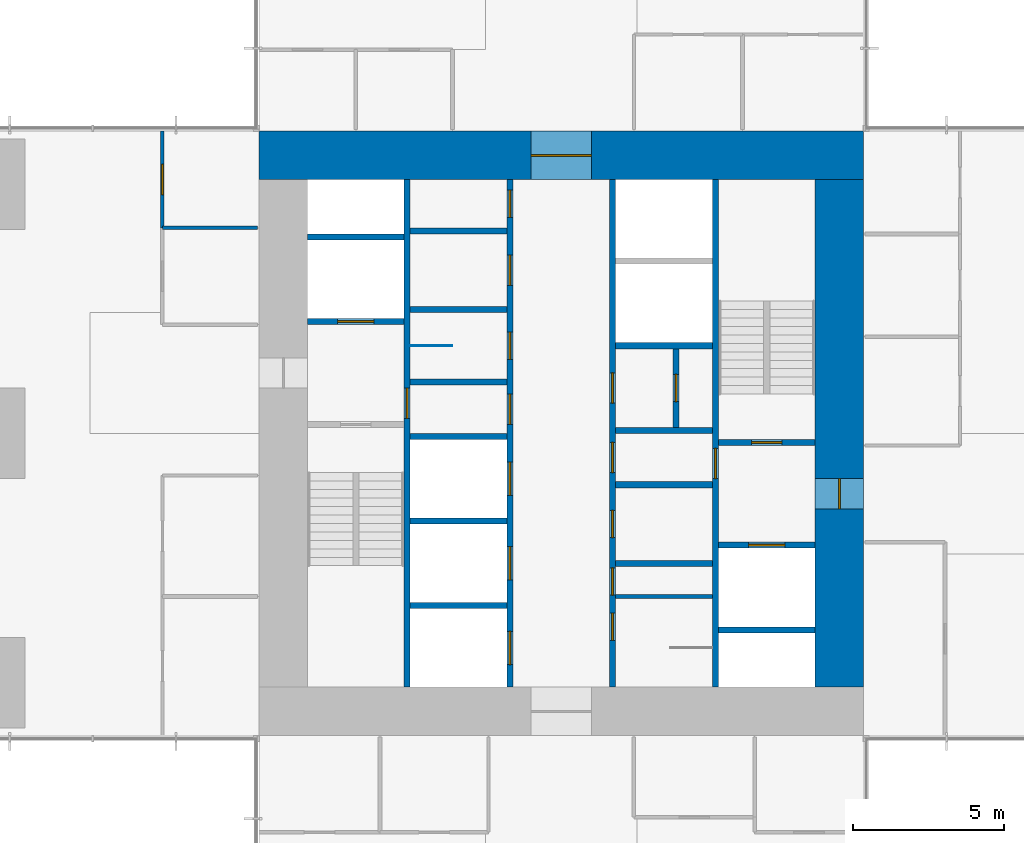
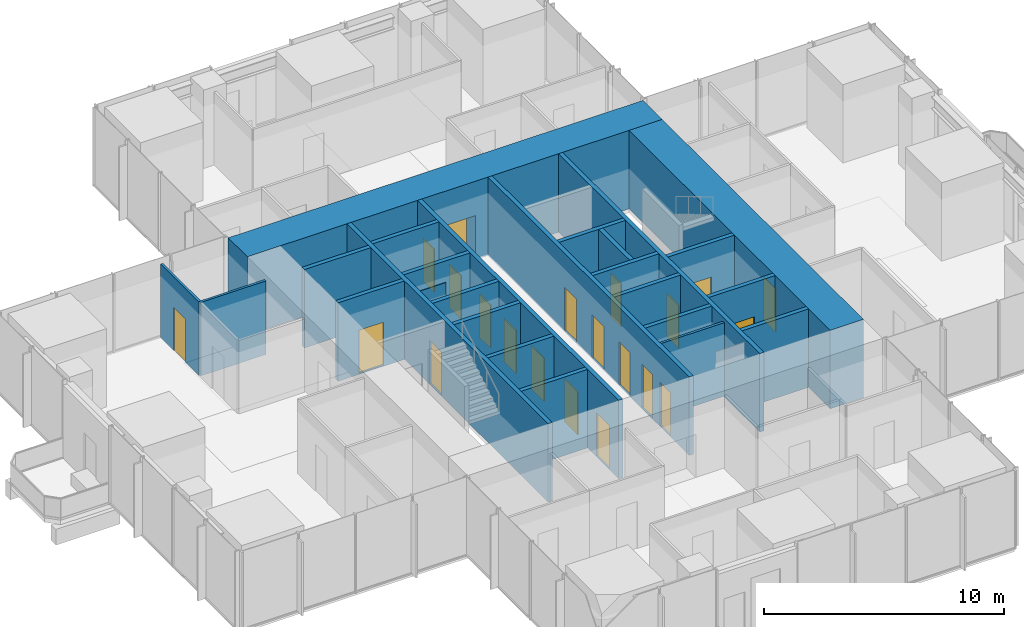
# One storey, part 9 of 13: 26 walls, 21 doors, 21 openings.
"""IFC4 building model written with IfcOpenShell, lengths in metres."""

from ifc_helpers import new_model, si_unit, direction, frame, frame_2d, origin, place, context, subcontext, project, spatial, rectangle, extrude, material, layer, layer_set, type_object, element, fill, save


model = new_model("IFC4")

# Units and contexts
model_context = context("Model", 3, precision=1e-05, world=origin(), true_north=direction((0.0, 1.0)))
body_context = subcontext(model_context, "Body", "Model", "MODEL_VIEW")
ifc_project = project(units=[si_unit("LENGTHUNIT", "METRE"), si_unit("AREAUNIT", "SQUARE_METRE"), si_unit("VOLUMEUNIT", "CUBIC_METRE"), si_unit("PLANEANGLEUNIT", "RADIAN"), si_unit("MASSUNIT", "GRAM", prefix="KILO")], contexts=[model_context])

# Site, building, storey
site_placement = place(None, origin())
site = spatial("IfcSite", under=ifc_project, at=site_placement, CompositionType="ELEMENT")
building_placement = place(site_placement, origin())
building = spatial("IfcBuilding", under=site, at=building_placement, Name="Svetlomir Tower", CompositionType="ELEMENT")
storey_placement = place(building_placement, frame((0.0, 0.0, 132.5)))
storey = spatial("IfcBuildingStorey", under=building, at=storey_placement, Name="L31", CompositionType="ELEMENT", Elevation=132.5)

# Wall, opening, door
ifc_material_1 = material(Name="Concrete C60/75", Category="concrete")
ifc_layer_1 = layer(ifc_material_1, 0.199951171875)
ifc_layer_set_1 = layer_set([ifc_layer_1], Name="Concrete C60/75")
wall_type_1 = type_object("IfcWallType", Name="CORE INNER WALL 200", PredefinedType="SHEAR", material=ifc_layer_set_1)
wall_1_placement = place(storey_placement, frame((15.89990234375, 12.60009765625, -0.050048828125), z_axis=(0.0, 0.0, 1.0), x_axis=(0.0, 1.0, 0.0)))
wall_1 = element("IfcWall", 1, at=wall_1_placement, inside=storey, type_object=wall_type_1, Name="Core inner wall 15.9 L31", PredefinedType="SHEAR", context=body_context, shape_type="SweptSolid", body=[
    extrude(rectangle(XDim=16.7998046875, YDim=0.199951171875, at=frame_2d((8.39990234375, 0.0))), origin(), (0.0, 0.0, 1.0), 4.0),
])
opening_1_placement = place(wall_1_placement, frame((8.89990234375, 0.0, 0.050048828125)))
opening_1 = element("IfcOpeningElement", 2, at=opening_1_placement, cuts=wall_1, Name="Opening DF", PredefinedType="OPENING", context=body_context, shape_type="SweptSolid", body=[
    extrude(rectangle(XDim=1.0, YDim=2.199951171875, at=frame_2d((0.5, 1.10009765625))), frame((0.0, 0.10986328125, 0.0), z_axis=(0.0, -1.0, 0.0), x_axis=(1.0, 0.0, 0.0)), (0.0, 0.0, 1.0), 0.219970703125),
])
ifc_material_2 = material(Name="Steel fire door", Category="steel")
door_type_1 = type_object("IfcDoorType", Name="DOOR DF 1000x2200", OperationType="SINGLE_SWING_LEFT", PredefinedType="DOOR", material=ifc_material_2)
door_1_placement = place(opening_1_placement, origin())
door_1 = element("IfcDoor", 3, at=door_1_placement, inside=storey, type_object=door_type_1, Name="Core corridor west door L31", OperationType="SINGLE_SWING_LEFT", OverallHeight=2.199951171875, OverallWidth=1.0, PredefinedType="DOOR", context=body_context, shape_type="SweptSolid", body=[
    extrude(rectangle(XDim=1.0, YDim=2.199951171875, at=frame_2d((0.5, 1.10009765625))), frame((0.0, 0.02490234375, 0.0), z_axis=(0.0, -1.0, 0.0), x_axis=(1.0, 0.0, 0.0)), (0.0, 0.0, 1.0), 0.050048828125),
])
fill(opening_1, door_1)

# Wall, openings, doors
wall_2_placement = place(storey_placement, frame((19.300048828125, 12.60009765625, -0.050048828125), z_axis=(0.0, 0.0, 1.0), x_axis=(0.0, 1.0, 0.0)))
wall_2 = element("IfcWall", 4, at=wall_2_placement, inside=storey, type_object=wall_type_1, Name="Core inner wall 19.3 L31", PredefinedType="SHEAR", context=body_context, shape_type="SweptSolid", body=[
    extrude(rectangle(XDim=16.7998046875, YDim=0.199951171875, at=frame_2d((8.39990234375, 0.0))), origin(), (0.0, 0.0, 1.0), 4.0),
])
opening_2_placement = place(wall_2_placement, frame((8.699951171875, 0.0, 0.050048828125)))
opening_2 = element("IfcOpeningElement", 5, at=opening_2_placement, cuts=wall_2, Name="Opening DC", PredefinedType="OPENING", context=body_context, shape_type="SweptSolid", body=[
    extrude(rectangle(XDim=1.0, YDim=2.199951171875, at=frame_2d((0.5, 1.10009765625))), frame((0.0, 0.10986328125, 0.0), z_axis=(0.0, -1.0, 0.0), x_axis=(1.0, 0.0, 0.0)), (0.0, 0.0, 1.0), 0.219970703125),
])
opening_3_placement = place(wall_2_placement, frame((10.85009765625, 0.0, 0.050048828125)))
opening_3 = element("IfcOpeningElement", 6, at=opening_3_placement, cuts=wall_2, Name="Opening DW", PredefinedType="OPENING", context=body_context, shape_type="SweptSolid", body=[
    extrude(rectangle(XDim=0.89990234375, YDim=2.199951171875, at=frame_2d((0.449951171875, 1.10009765625))), frame((0.0, 0.10986328125, 0.0), z_axis=(0.0, -1.0, 0.0), x_axis=(1.0, 0.0, 0.0)), (0.0, 0.0, 1.0), 0.219970703125),
])
opening_4_placement = place(wall_2_placement, frame((13.300048828125, 0.0, 0.050048828125)))
opening_4 = element("IfcOpeningElement", 7, at=opening_4_placement, cuts=wall_2, Name="Opening DC", PredefinedType="OPENING", context=body_context, shape_type="SweptSolid", body=[
    extrude(rectangle(XDim=1.0, YDim=2.199951171875, at=frame_2d((0.5, 1.10009765625))), frame((0.0, 0.10986328125, 0.0), z_axis=(0.0, -1.0, 0.0), x_axis=(1.0, 0.0, 0.0)), (0.0, 0.0, 1.0), 0.219970703125),
])
opening_5_placement = place(wall_2_placement, frame((15.550048828125, 0.0, 0.050048828125)))
opening_5 = element("IfcOpeningElement", 8, at=opening_5_placement, cuts=wall_2, Name="Opening DW", PredefinedType="OPENING", context=body_context, shape_type="SweptSolid", body=[
    extrude(rectangle(XDim=0.89990234375, YDim=2.199951171875, at=frame_2d((0.449951171875, 1.10009765625))), frame((0.0, 0.10986328125, 0.0), z_axis=(0.0, -1.0, 0.0), x_axis=(1.0, 0.0, 0.0)), (0.0, 0.0, 1.0), 0.219970703125),
])
opening_6_placement = place(wall_2_placement, frame((0.75, 0.0, 0.050048828125)))
opening_6 = element("IfcOpeningElement", 9, at=opening_6_placement, cuts=wall_2, Name="Opening LD", PredefinedType="OPENING", context=body_context, shape_type="SweptSolid", body=[
    extrude(rectangle(XDim=1.10009765625, YDim=2.199951171875, at=frame_2d((0.550048828125, 1.10009765625))), frame((0.0, 0.10986328125, 0.0), z_axis=(0.0, -1.0, 0.0), x_axis=(1.0, 0.0, 0.0)), (0.0, 0.0, 1.0), 0.219970703125),
])
opening_7_placement = place(wall_2_placement, frame((3.550048828125, 0.0, 0.050048828125)))
opening_7 = element("IfcOpeningElement", 10, at=opening_7_placement, cuts=wall_2, Name="Opening LD", PredefinedType="OPENING", context=body_context, shape_type="SweptSolid", body=[
    extrude(rectangle(XDim=1.10009765625, YDim=2.199951171875, at=frame_2d((0.550048828125, 1.10009765625))), frame((0.0, 0.10986328125, 0.0), z_axis=(0.0, -1.0, 0.0), x_axis=(1.0, 0.0, 0.0)), (0.0, 0.0, 1.0), 0.219970703125),
])
opening_8_placement = place(wall_2_placement, frame((6.35009765625, 0.0, 0.050048828125)))
opening_8 = element("IfcOpeningElement", 11, at=opening_8_placement, cuts=wall_2, Name="Opening LD", PredefinedType="OPENING", context=body_context, shape_type="SweptSolid", body=[
    extrude(rectangle(XDim=1.10009765625, YDim=2.199951171875, at=frame_2d((0.550048828125, 1.10009765625))), frame((0.0, 0.10986328125, 0.0), z_axis=(0.0, -1.0, 0.0), x_axis=(1.0, 0.0, 0.0)), (0.0, 0.0, 1.0), 0.219970703125),
])
ifc_material_3 = material(Name="Timber fire door", Category="wood")
door_type_2 = type_object("IfcDoorType", Name="DOOR DC 1000x2200", OperationType="SINGLE_SWING_LEFT", PredefinedType="DOOR", material=ifc_material_3)
door_2_placement = place(opening_2_placement, origin())
door_2 = element("IfcDoor", 12, at=door_2_placement, inside=storey, type_object=door_type_2, Name="Core corridor west lobby door L31", OperationType="SINGLE_SWING_RIGHT", OverallHeight=2.199951171875, OverallWidth=1.0, PredefinedType="DOOR", context=body_context, shape_type="SweptSolid", body=[
    extrude(rectangle(XDim=1.0, YDim=2.199951171875, at=frame_2d((0.5, 1.10009765625))), frame((0.0, 0.02490234375, 0.0), z_axis=(0.0, -1.0, 0.0), x_axis=(1.0, 0.0, 0.0)), (0.0, 0.0, 1.0), 0.050048828125),
])
fill(opening_2, door_2)
door_3_placement = place(opening_4_placement, origin())
door_3 = element("IfcDoor", 13, at=door_3_placement, inside=storey, type_object=door_type_2, Name="Accessible WC door L31", OperationType="SINGLE_SWING_LEFT", OverallHeight=2.199951171875, OverallWidth=1.0, PredefinedType="DOOR", context=body_context, shape_type="SweptSolid", body=[
    extrude(rectangle(XDim=1.0, YDim=2.199951171875, at=frame_2d((0.5, 1.10009765625))), frame((0.0, 0.02490234375, 0.0), z_axis=(0.0, -1.0, 0.0), x_axis=(1.0, 0.0, 0.0)), (0.0, 0.0, 1.0), 0.050048828125),
])
fill(opening_4, door_3)
ifc_material_4 = material(Name="Timber fire door", Category="wood")
door_type_3 = type_object("IfcDoorType", Name="DOOR DW 900x2200", OperationType="SINGLE_SWING_LEFT", PredefinedType="DOOR", material=ifc_material_4)
door_4_placement = place(opening_3_placement, origin())
door_4 = element("IfcDoor", 14, at=door_4_placement, inside=storey, type_object=door_type_3, Name="Female WC door L31", OperationType="SINGLE_SWING_RIGHT", OverallHeight=2.199951171875, OverallWidth=0.89990234375, PredefinedType="DOOR", context=body_context, shape_type="SweptSolid", body=[
    extrude(rectangle(XDim=0.89990234375, YDim=2.199951171875, at=frame_2d((0.449951171875, 1.10009765625))), frame((0.0, 0.02490234375, 0.0), z_axis=(0.0, -1.0, 0.0), x_axis=(1.0, 0.0, 0.0)), (0.0, 0.0, 1.0), 0.050048828125),
])
fill(opening_3, door_4)
door_5_placement = place(opening_5_placement, origin())
door_5 = element("IfcDoor", 15, at=door_5_placement, inside=storey, type_object=door_type_3, Name="IT floor distributor room door L31", OperationType="SINGLE_SWING_RIGHT", OverallHeight=2.199951171875, OverallWidth=0.89990234375, PredefinedType="DOOR", context=body_context, shape_type="SweptSolid", body=[
    extrude(rectangle(XDim=0.89990234375, YDim=2.199951171875, at=frame_2d((0.449951171875, 1.10009765625))), frame((0.0, 0.02490234375, 0.0), z_axis=(0.0, -1.0, 0.0), x_axis=(1.0, 0.0, 0.0)), (0.0, 0.0, 1.0), 0.050048828125),
])
fill(opening_5, door_5)
ifc_material_5 = material(Name="Stainless steel landing door", Category="steel")
door_type_4 = type_object("IfcDoorType", Name="LIFT LANDING DOOR LD 1100x2200", OperationType="DOUBLE_DOOR_SLIDING", PredefinedType="DOOR", material=ifc_material_5)
door_6_placement = place(opening_6_placement, origin())
door_6 = element("IfcDoor", 16, at=door_6_placement, inside=storey, type_object=door_type_4, Name="Landing door lift LB1 L31", OperationType="DOUBLE_DOOR_SLIDING", OverallHeight=2.199951171875, OverallWidth=1.10009765625, PredefinedType="DOOR", context=body_context, shape_type="SweptSolid", body=[
    extrude(rectangle(XDim=1.10009765625, YDim=2.199951171875, at=frame_2d((0.550048828125, 1.10009765625))), frame((0.0, 0.02490234375, 0.0), z_axis=(0.0, -1.0, 0.0), x_axis=(1.0, 0.0, 0.0)), (0.0, 0.0, 1.0), 0.050048828125),
])
fill(opening_6, door_6)
door_7_placement = place(opening_7_placement, origin())
door_7 = element("IfcDoor", 17, at=door_7_placement, inside=storey, type_object=door_type_4, Name="Landing door lift LB2 L31", OperationType="DOUBLE_DOOR_SLIDING", OverallHeight=2.199951171875, OverallWidth=1.10009765625, PredefinedType="DOOR", context=body_context, shape_type="SweptSolid", body=[
    extrude(rectangle(XDim=1.10009765625, YDim=2.199951171875, at=frame_2d((0.550048828125, 1.10009765625))), frame((0.0, 0.02490234375, 0.0), z_axis=(0.0, -1.0, 0.0), x_axis=(1.0, 0.0, 0.0)), (0.0, 0.0, 1.0), 0.050048828125),
])
fill(opening_7, door_7)
door_8_placement = place(opening_8_placement, origin())
door_8 = element("IfcDoor", 18, at=door_8_placement, inside=storey, type_object=door_type_4, Name="Landing door lift LB3 L31", OperationType="DOUBLE_DOOR_SLIDING", OverallHeight=2.199951171875, OverallWidth=1.10009765625, PredefinedType="DOOR", context=body_context, shape_type="SweptSolid", body=[
    extrude(rectangle(XDim=1.10009765625, YDim=2.199951171875, at=frame_2d((0.550048828125, 1.10009765625))), frame((0.0, 0.02490234375, 0.0), z_axis=(0.0, -1.0, 0.0), x_axis=(1.0, 0.0, 0.0)), (0.0, 0.0, 1.0), 0.050048828125),
])
fill(opening_8, door_8)

wall_3_placement = place(storey_placement, frame((22.699951171875, 12.60009765625, -0.050048828125), z_axis=(0.0, 0.0, 1.0), x_axis=(0.0, 1.0, 0.0)))
wall_3 = element("IfcWall", 19, at=wall_3_placement, inside=storey, type_object=wall_type_1, Name="Core inner wall 22.7 L31", PredefinedType="SHEAR", context=body_context, shape_type="SweptSolid", body=[
    extrude(rectangle(XDim=16.7998046875, YDim=0.199951171875, at=frame_2d((8.39990234375, 0.0))), origin(), (0.0, 0.0, 1.0), 4.0),
])
opening_9_placement = place(wall_3_placement, frame((3.050048828125, 0.0, 0.050048828125)))
opening_9 = element("IfcOpeningElement", 20, at=opening_9_placement, cuts=wall_3, Name="Opening DW", PredefinedType="OPENING", context=body_context, shape_type="SweptSolid", body=[
    extrude(rectangle(XDim=0.89990234375, YDim=2.199951171875, at=frame_2d((0.449951171875, 1.10009765625))), frame((0.0, 0.10986328125, 0.0), z_axis=(0.0, -1.0, 0.0), x_axis=(1.0, 0.0, 0.0)), (0.0, 0.0, 1.0), 0.219970703125),
])
opening_10_placement = place(wall_3_placement, frame((7.10009765625, 0.0, 0.050048828125)))
opening_10 = element("IfcOpeningElement", 21, at=opening_10_placement, cuts=wall_3, Name="Opening DC", PredefinedType="OPENING", context=body_context, shape_type="SweptSolid", body=[
    extrude(rectangle(XDim=1.0, YDim=2.199951171875, at=frame_2d((0.5, 1.10009765625))), frame((0.0, 0.10986328125, 0.0), z_axis=(0.0, -1.0, 0.0), x_axis=(1.0, 0.0, 0.0)), (0.0, 0.0, 1.0), 0.219970703125),
])
opening_11_placement = place(wall_3_placement, frame((1.550048828125, 0.0, 0.050048828125)))
opening_11 = element("IfcOpeningElement", 22, at=opening_11_placement, cuts=wall_3, Name="Opening DW", PredefinedType="OPENING", context=body_context, shape_type="SweptSolid", body=[
    extrude(rectangle(XDim=0.89990234375, YDim=2.199951171875, at=frame_2d((0.449951171875, 1.10009765625))), frame((0.0, 0.10986328125, 0.0), z_axis=(0.0, -1.0, 0.0), x_axis=(1.0, 0.0, 0.0)), (0.0, 0.0, 1.0), 0.219970703125),
])
opening_12_placement = place(wall_3_placement, frame((4.949951171875, 0.0, 0.050048828125)))
opening_12 = element("IfcOpeningElement", 23, at=opening_12_placement, cuts=wall_3, Name="Opening DW", PredefinedType="OPENING", context=body_context, shape_type="SweptSolid", body=[
    extrude(rectangle(XDim=0.89990234375, YDim=2.199951171875, at=frame_2d((0.449951171875, 1.10009765625))), frame((0.0, 0.10986328125, 0.0), z_axis=(0.0, -1.0, 0.0), x_axis=(1.0, 0.0, 0.0)), (0.0, 0.0, 1.0), 0.219970703125),
])
opening_13_placement = place(wall_3_placement, frame((9.39990234375, 0.0, 0.050048828125)))
opening_13 = element("IfcOpeningElement", 24, at=opening_13_placement, cuts=wall_3, Name="Opening DC", PredefinedType="OPENING", context=body_context, shape_type="SweptSolid", body=[
    extrude(rectangle(XDim=1.0, YDim=2.199951171875, at=frame_2d((0.5, 1.10009765625))), frame((0.0, 0.10986328125, 0.0), z_axis=(0.0, -1.0, 0.0), x_axis=(1.0, 0.0, 0.0)), (0.0, 0.0, 1.0), 0.219970703125),
])
door_9_placement = place(opening_10_placement, origin())
door_9 = element("IfcDoor", 25, at=door_9_placement, inside=storey, type_object=door_type_2, Name="Core corridor east lobby door L31", OperationType="SINGLE_SWING_LEFT", OverallHeight=2.199951171875, OverallWidth=1.0, PredefinedType="DOOR", context=body_context, shape_type="SweptSolid", body=[
    extrude(rectangle(XDim=1.0, YDim=2.199951171875, at=frame_2d((0.5, 1.10009765625))), frame((0.0, 0.02490234375, 0.0), z_axis=(0.0, -1.0, 0.0), x_axis=(1.0, 0.0, 0.0)), (0.0, 0.0, 1.0), 0.050048828125),
])
fill(opening_10, door_9)
door_10_placement = place(opening_13_placement, origin())
door_10 = element("IfcDoor", 26, at=door_10_placement, inside=storey, type_object=door_type_2, Name="Converted shaft BANK-E1 room door L31", OperationType="SINGLE_SWING_LEFT", OverallHeight=2.199951171875, OverallWidth=1.0, PredefinedType="DOOR", context=body_context, shape_type="SweptSolid", body=[
    extrude(rectangle(XDim=1.0, YDim=2.199951171875, at=frame_2d((0.5, 1.10009765625))), frame((0.0, 0.02490234375, 0.0), z_axis=(0.0, -1.0, 0.0), x_axis=(1.0, 0.0, 0.0)), (0.0, 0.0, 1.0), 0.050048828125),
])
fill(opening_13, door_10)
door_11_placement = place(opening_9_placement, origin())
door_11 = element("IfcDoor", 27, at=door_11_placement, inside=storey, type_object=door_type_3, Name="Shower and changing room door L31", OperationType="SINGLE_SWING_LEFT", OverallHeight=2.199951171875, OverallWidth=0.89990234375, PredefinedType="DOOR", context=body_context, shape_type="SweptSolid", body=[
    extrude(rectangle(XDim=0.89990234375, YDim=2.199951171875, at=frame_2d((0.449951171875, 1.10009765625))), frame((0.0, 0.02490234375, 0.0), z_axis=(0.0, -1.0, 0.0), x_axis=(1.0, 0.0, 0.0)), (0.0, 0.0, 1.0), 0.050048828125),
])
fill(opening_9, door_11)
door_12_placement = place(opening_11_placement, origin())
door_12 = element("IfcDoor", 28, at=door_12_placement, inside=storey, type_object=door_type_3, Name="Male WC door L31", OperationType="SINGLE_SWING_RIGHT", OverallHeight=2.199951171875, OverallWidth=0.89990234375, PredefinedType="DOOR", context=body_context, shape_type="SweptSolid", body=[
    extrude(rectangle(XDim=0.89990234375, YDim=2.199951171875, at=frame_2d((0.449951171875, 1.10009765625))), frame((0.0, 0.02490234375, 0.0), z_axis=(0.0, -1.0, 0.0), x_axis=(1.0, 0.0, 0.0)), (0.0, 0.0, 1.0), 0.050048828125),
])
fill(opening_11, door_12)
door_13_placement = place(opening_12_placement, origin())
door_13 = element("IfcDoor", 29, at=door_13_placement, inside=storey, type_object=door_type_3, Name="Comms room door L31", OperationType="SINGLE_SWING_RIGHT", OverallHeight=2.199951171875, OverallWidth=0.89990234375, PredefinedType="DOOR", context=body_context, shape_type="SweptSolid", body=[
    extrude(rectangle(XDim=0.89990234375, YDim=2.199951171875, at=frame_2d((0.449951171875, 1.10009765625))), frame((0.0, 0.02490234375, 0.0), z_axis=(0.0, -1.0, 0.0), x_axis=(1.0, 0.0, 0.0)), (0.0, 0.0, 1.0), 0.050048828125),
])
fill(opening_12, door_13)

# Wall, opening, door
wall_4_placement = place(storey_placement, frame((26.10009765625, 12.60009765625, -0.050048828125), z_axis=(0.0, 0.0, 1.0), x_axis=(0.0, 1.0, 0.0)))
wall_4 = element("IfcWall", 30, at=wall_4_placement, inside=storey, type_object=wall_type_1, Name="Core inner wall 26.1 L31", PredefinedType="SHEAR", context=body_context, shape_type="SweptSolid", body=[
    extrude(rectangle(XDim=16.7998046875, YDim=0.199951171875, at=frame_2d((8.39990234375, 0.0))), origin(), (0.0, 0.0, 1.0), 4.0),
])
opening_14_placement = place(wall_4_placement, frame((6.89990234375, 0.0, 0.050048828125)))
opening_14 = element("IfcOpeningElement", 31, at=opening_14_placement, cuts=wall_4, Name="Opening DF", PredefinedType="OPENING", context=body_context, shape_type="SweptSolid", body=[
    extrude(rectangle(XDim=1.0, YDim=2.199951171875, at=frame_2d((0.5, 1.10009765625))), frame((0.0, 0.10986328125, 0.0), z_axis=(0.0, -1.0, 0.0), x_axis=(1.0, 0.0, 0.0)), (0.0, 0.0, 1.0), 0.219970703125),
])
door_14_placement = place(opening_14_placement, origin())
door_14 = element("IfcDoor", 32, at=door_14_placement, inside=storey, type_object=door_type_1, Name="Core corridor east door L31", OperationType="SINGLE_SWING_LEFT", OverallHeight=2.199951171875, OverallWidth=1.0, PredefinedType="DOOR", context=body_context, shape_type="SweptSolid", body=[
    extrude(rectangle(XDim=1.0, YDim=2.199951171875, at=frame_2d((0.5, 1.10009765625))), frame((0.0, 0.02490234375, 0.0), z_axis=(0.0, -1.0, 0.0), x_axis=(1.0, 0.0, 0.0)), (0.0, 0.0, 1.0), 0.050048828125),
])
fill(opening_14, door_14)

wall_5_placement = place(storey_placement, frame((12.60009765625, 24.699951171875, -0.050048828125), z_axis=(0.0, 0.0, 1.0), x_axis=(1.0, 0.0, 0.0)))
wall_5 = element("IfcWall", 33, at=wall_5_placement, inside=storey, type_object=wall_type_1, Name="Core inner wall 12.6-15.8/24.7 L31", PredefinedType="SHEAR", context=body_context, shape_type="SweptSolid", body=[
    extrude(rectangle(XDim=3.199951171875, YDim=0.199951171875, at=frame_2d((1.60009765625, 0.0))), origin(), (0.0, 0.0, 1.0), 4.0),
])
opening_15_placement = place(wall_5_placement, frame((1.0, 0.0, 0.050048828125)))
opening_15 = element("IfcOpeningElement", 34, at=opening_15_placement, cuts=wall_5, Name="Opening LD3", PredefinedType="OPENING", context=body_context, shape_type="SweptSolid", body=[
    extrude(rectangle(XDim=1.199951171875, YDim=2.199951171875, at=frame_2d((0.60009765625, 1.10009765625))), frame((0.0, 0.10986328125, 0.0), z_axis=(0.0, -1.0, 0.0), x_axis=(1.0, 0.0, 0.0)), (0.0, 0.0, 1.0), 0.219970703125),
])
ifc_material_6 = material(Name="Stainless steel fire-rated landing door", Category="steel")
door_type_5 = type_object("IfcDoorType", Name="FIREFIGHTING LIFT LANDING DOOR LD3 1200x2200", OperationType="DOUBLE_DOOR_SLIDING", PredefinedType="DOOR", material=ifc_material_6)
door_15_placement = place(opening_15_placement, origin())
door_15 = element("IfcDoor", 35, at=door_15_placement, inside=storey, type_object=door_type_5, Name="Landing door lift FL1 L31", OperationType="DOUBLE_DOOR_SLIDING", OverallHeight=2.199951171875, OverallWidth=1.199951171875, PredefinedType="DOOR", context=body_context, shape_type="SweptSolid", body=[
    extrude(rectangle(XDim=1.199951171875, YDim=2.199951171875, at=frame_2d((0.60009765625, 1.10009765625))), frame((0.0, 0.02490234375, 0.0), z_axis=(0.0, -1.0, 0.0), x_axis=(1.0, 0.0, 0.0)), (0.0, 0.0, 1.0), 0.050048828125),
])
fill(opening_15, door_15)

# Walls
for number, where, z_axis, x_axis, name in (
    (36, (12.60009765625, 27.5, -0.050048828125), (0.0, 0.0, 1.0), (1.0, 0.0, 0.0), "Core inner wall 12.6-15.8/27.5 L31"),
    (37, (16.0, 15.300048828125, -0.050048828125), (0.0, 0.0, 1.0), (1.0, 0.0, 0.0), "Core inner wall 16-19.2/15.3 L31"),
    (38, (16.0, 18.10009765625, -0.050048828125), (0.0, 0.0, 1.0), (1.0, 0.0, 0.0), "Core inner wall 16-19.2/18.1 L31"),
    (39, (16.0, 20.89990234375, -0.050048828125), (0.0, 0.0, 1.0), (1.0, 0.0, 0.0), "Core inner wall 16-19.2/20.9 L31"),
    (40, (16.0, 22.699951171875, -0.050048828125), (0.0, 0.0, 1.0), (1.0, 0.0, 0.0), "Core inner wall 16-19.2/22.7 L31"),
    (41, (16.0, 25.10009765625, -0.050048828125), (0.0, 0.0, 1.0), (1.0, 0.0, 0.0), "Core inner wall 16-19.2/25.1 L31"),
    (42, (16.0, 27.699951171875, -0.050048828125), (0.0, 0.0, 1.0), (1.0, 0.0, 0.0), "Core inner wall 16-19.2/27.7 L31"),
    (43, (22.800048828125, 16.699951171875, -0.050048828125), (0.0, 0.0, 1.0), (1.0, 0.0, 0.0), "Core inner wall 22.8-26/16.7 L31"),
    (44, (22.800048828125, 19.300048828125, -0.050048828125), (0.0, 0.0, 1.0), (1.0, 0.0, 0.0), "Core inner wall 22.8-26/19.3 L31"),
    (45, (22.800048828125, 21.10009765625, -0.050048828125), (0.0, 0.0, 1.0), (1.0, 0.0, 0.0), "Core inner wall 22.8-26/21.1 L31"),
    (46, (22.800048828125, 23.89990234375, -0.050048828125), (0.0, 0.0, 1.0), (1.0, 0.0, 0.0), "Core inner wall 22.8-26/23.9 L31"),
    (47, (26.199951171875, 14.5, -0.050048828125), (0.0, 0.0, 1.0), (1.0, 0.0, 0.0), "Core inner wall 26.2-29.4/14.5 L31"),
):
    element("IfcWall", number, at=place(storey_placement, frame(where, z_axis=z_axis, x_axis=x_axis)), inside=storey, type_object=wall_type_1, Name=name, PredefinedType="SHEAR", context=body_context, shape_type="SweptSolid", body=[
        extrude(rectangle(XDim=3.199951171875, YDim=0.199951171875, at=frame_2d((1.60009765625, 0.0))), origin(), (0.0, 0.0, 1.0), 4.0),
    ])

# Wall, opening, door
wall_6_placement = place(storey_placement, frame((26.199951171875, 17.300048828125, -0.050048828125), z_axis=(0.0, 0.0, 1.0), x_axis=(1.0, 0.0, 0.0)))
wall_6 = element("IfcWall", 48, at=wall_6_placement, inside=storey, type_object=wall_type_1, Name="Core inner wall 26.2-29.4/17.3 L31", PredefinedType="SHEAR", context=body_context, shape_type="SweptSolid", body=[
    extrude(rectangle(XDim=3.199951171875, YDim=0.199951171875, at=frame_2d((1.60009765625, 0.0))), origin(), (0.0, 0.0, 1.0), 4.0),
])
opening_16_placement = place(wall_6_placement, frame((1.0, 0.0, 0.050048828125)))
opening_16 = element("IfcOpeningElement", 49, at=opening_16_placement, cuts=wall_6, Name="Opening LD3", PredefinedType="OPENING", context=body_context, shape_type="SweptSolid", body=[
    extrude(rectangle(XDim=1.199951171875, YDim=2.199951171875, at=frame_2d((0.60009765625, 1.10009765625))), frame((0.0, 0.10986328125, 0.0), z_axis=(0.0, -1.0, 0.0), x_axis=(1.0, 0.0, 0.0)), (0.0, 0.0, 1.0), 0.219970703125),
])
door_16_placement = place(opening_16_placement, origin())
door_16 = element("IfcDoor", 50, at=door_16_placement, inside=storey, type_object=door_type_5, Name="Landing door lift FL2 L31", OperationType="DOUBLE_DOOR_SLIDING", OverallHeight=2.199951171875, OverallWidth=1.199951171875, PredefinedType="DOOR", context=body_context, shape_type="SweptSolid", body=[
    extrude(rectangle(XDim=1.199951171875, YDim=2.199951171875, at=frame_2d((0.60009765625, 1.10009765625))), frame((0.0, 0.02490234375, 0.0), z_axis=(0.0, -1.0, 0.0), x_axis=(1.0, 0.0, 0.0)), (0.0, 0.0, 1.0), 0.050048828125),
])
fill(opening_16, door_16)

wall_7_placement = place(storey_placement, frame((26.199951171875, 20.699951171875, -0.050048828125), z_axis=(0.0, 0.0, 1.0), x_axis=(1.0, 0.0, 0.0)))
wall_7 = element("IfcWall", 51, at=wall_7_placement, inside=storey, type_object=wall_type_1, Name="Core inner wall 26.2-29.4/20.7 L31", PredefinedType="SHEAR", context=body_context, shape_type="SweptSolid", body=[
    extrude(rectangle(XDim=3.199951171875, YDim=0.199951171875, at=frame_2d((1.60009765625, 0.0))), origin(), (0.0, 0.0, 1.0), 4.0),
])
opening_17_placement = place(wall_7_placement, frame((1.10009765625, 0.0, 0.050048828125)))
opening_17 = element("IfcOpeningElement", 52, at=opening_17_placement, cuts=wall_7, Name="Opening DF", PredefinedType="OPENING", context=body_context, shape_type="SweptSolid", body=[
    extrude(rectangle(XDim=1.0, YDim=2.199951171875, at=frame_2d((0.5, 1.10009765625))), frame((0.0, 0.10986328125, 0.0), z_axis=(0.0, -1.0, 0.0), x_axis=(1.0, 0.0, 0.0)), (0.0, 0.0, 1.0), 0.219970703125),
])
door_17_placement = place(opening_17_placement, origin())
door_17 = element("IfcDoor", 53, at=door_17_placement, inside=storey, type_object=door_type_1, Name="Stair S2 door L31", OperationType="SINGLE_SWING_LEFT", OverallHeight=2.199951171875, OverallWidth=1.0, PredefinedType="DOOR", context=body_context, shape_type="SweptSolid", body=[
    extrude(rectangle(XDim=1.0, YDim=2.199951171875, at=frame_2d((0.5, 1.10009765625))), frame((0.0, 0.02490234375, 0.0), z_axis=(0.0, -1.0, 0.0), x_axis=(1.0, 0.0, 0.0)), (0.0, 0.0, 1.0), 0.050048828125),
])
fill(opening_17, door_17)

wall_8_placement = place(storey_placement, frame((24.800048828125, 21.199951171875, -0.050048828125), z_axis=(0.0, 0.0, 1.0), x_axis=(0.0, 1.0, 0.0)))
wall_8 = element("IfcWall", 54, at=wall_8_placement, inside=storey, type_object=wall_type_1, Name="Core inner wall 24.8/21.2-23.8 L31", PredefinedType="SHEAR", context=body_context, shape_type="SweptSolid", body=[
    extrude(rectangle(XDim=2.60009765625, YDim=0.199951171875, at=frame_2d((1.300048828125, 0.0))), origin(), (0.0, 0.0, 1.0), 4.0),
])
opening_18_placement = place(wall_8_placement, frame((0.85009765625, 0.0, 0.050048828125)))
opening_18 = element("IfcOpeningElement", 55, at=opening_18_placement, cuts=wall_8, Name="Opening DW", PredefinedType="OPENING", context=body_context, shape_type="SweptSolid", body=[
    extrude(rectangle(XDim=0.89990234375, YDim=2.199951171875, at=frame_2d((0.449951171875, 1.10009765625))), frame((0.0, 0.10986328125, 0.0), z_axis=(0.0, -1.0, 0.0), x_axis=(1.0, 0.0, 0.0)), (0.0, 0.0, 1.0), 0.219970703125),
])
door_18_placement = place(opening_18_placement, origin())
door_18 = element("IfcDoor", 56, at=door_18_placement, inside=storey, type_object=door_type_3, Name="Converted shaft BANK-E1 back room door L31", OperationType="SINGLE_SWING_RIGHT", OverallHeight=2.199951171875, OverallWidth=0.89990234375, PredefinedType="DOOR", context=body_context, shape_type="SweptSolid", body=[
    extrude(rectangle(XDim=0.89990234375, YDim=2.199951171875, at=frame_2d((0.449951171875, 1.10009765625))), frame((0.0, 0.02490234375, 0.0), z_axis=(0.0, -1.0, 0.0), x_axis=(1.0, 0.0, 0.0)), (0.0, 0.0, 1.0), 0.050048828125),
])
fill(opening_18, door_18)

ifc_material_7 = material(Name="Concrete C60/75", Category="concrete")
ifc_layer_2 = layer(ifc_material_7, 1.60009765625)
ifc_layer_set_2 = layer_set([ifc_layer_2], Name="Concrete C60/75")
wall_type_2 = type_object("IfcWallType", Name="CORE WALL 1600", PredefinedType="SHEAR", material=ifc_layer_set_2)
wall_9_placement = place(storey_placement, frame((11.0, 30.199951171875, -0.050048828125), z_axis=(0.0, 0.0, 1.0), x_axis=(1.0, 0.0, 0.0)))
wall_9 = element("IfcWall", 57, at=wall_9_placement, inside=storey, type_object=wall_type_2, Name="Core wall north L31", PredefinedType="SHEAR", context=body_context, shape_type="SweptSolid", body=[
    extrude(rectangle(XDim=20.0, YDim=1.60009765625, at=frame_2d((10.0, 0.0))), origin(), (0.0, 0.0, 1.0), 4.0),
])
opening_19_placement = place(wall_9_placement, frame((9.0, 0.0, 0.050048828125)))
opening_19 = element("IfcOpeningElement", 58, at=opening_19_placement, cuts=wall_9, Name="Opening DL", PredefinedType="OPENING", context=body_context, shape_type="SweptSolid", body=[
    extrude(rectangle(XDim=2.0, YDim=2.199951171875, at=frame_2d((1.0, 1.10009765625))), frame((0.0, 0.81005859375, 0.0), z_axis=(0.0, -1.0, 0.0), x_axis=(1.0, 0.0, 0.0)), (0.0, 0.0, 1.0), 1.6201171875),
])
ifc_material_8 = material(Name="Steel fire door", Category="steel")
door_type_6 = type_object("IfcDoorType", Name="DOOR DL 2000x2200", OperationType="DOUBLE_DOOR_SINGLE_SWING", PredefinedType="DOOR", material=ifc_material_8)
door_19_placement = place(opening_19_placement, origin())
door_19 = element("IfcDoor", 59, at=door_19_placement, inside=storey, type_object=door_type_6, Name="Lift lobby north door L31", OperationType="DOUBLE_DOOR_SINGLE_SWING", OverallHeight=2.199951171875, OverallWidth=2.0, PredefinedType="DOOR", context=body_context, shape_type="SweptSolid", body=[
    extrude(rectangle(XDim=2.0, YDim=2.199951171875, at=frame_2d((1.0, 1.10009765625))), frame((0.0, 0.02490234375, 0.0), z_axis=(0.0, -1.0, 0.0), x_axis=(1.0, 0.0, 0.0)), (0.0, 0.0, 1.0), 0.050048828125),
])
fill(opening_19, door_19)

wall_10_placement = place(storey_placement, frame((30.199951171875, 12.60009765625, -0.050048828125), z_axis=(0.0, 0.0, 1.0), x_axis=(0.0, 1.0, 0.0)))
wall_10 = element("IfcWall", 60, at=wall_10_placement, inside=storey, type_object=wall_type_2, Name="Core wall east L31", PredefinedType="SHEAR", context=body_context, shape_type="SweptSolid", body=[
    extrude(rectangle(XDim=16.7998046875, YDim=1.60009765625, at=frame_2d((8.39990234375, 0.0))), origin(), (0.0, 0.0, 1.0), 4.0),
])
opening_20_placement = place(wall_10_placement, frame((5.89990234375, 0.0, 0.050048828125)))
opening_20 = element("IfcOpeningElement", 61, at=opening_20_placement, cuts=wall_10, Name="Opening DF", PredefinedType="OPENING", context=body_context, shape_type="SweptSolid", body=[
    extrude(rectangle(XDim=1.0, YDim=2.199951171875, at=frame_2d((0.5, 1.10009765625))), frame((0.0, 0.81005859375, 0.0), z_axis=(0.0, -1.0, 0.0), x_axis=(1.0, 0.0, 0.0)), (0.0, 0.0, 1.0), 1.6201171875),
])
door_20_placement = place(opening_20_placement, origin())
door_20 = element("IfcDoor", 62, at=door_20_placement, inside=storey, type_object=door_type_1, Name="Firefighting lobby east door L31", OperationType="SINGLE_SWING_LEFT", OverallHeight=2.199951171875, OverallWidth=1.0, PredefinedType="DOOR", context=body_context, shape_type="SweptSolid", body=[
    extrude(rectangle(XDim=1.0, YDim=2.199951171875, at=frame_2d((0.5, 1.10009765625))), frame((0.0, 0.02490234375, 0.0), z_axis=(0.0, -1.0, 0.0), x_axis=(1.0, 0.0, 0.0)), (0.0, 0.0, 1.0), 0.050048828125),
])
fill(opening_20, door_20)

# Wall
ifc_material_9 = material(Name="Gypsum board on steel studs", Category="steel")
ifc_layer_3 = layer(ifc_material_9, 0.1201171875)
ifc_layer_set_3 = layer_set([ifc_layer_3], Name="Gypsum board on steel studs")
wall_type_3 = type_object("IfcWallType", Name="PARTITION 120", PredefinedType="PARTITIONING", material=ifc_layer_set_3)
wall_11_placement = place(storey_placement, frame((22.800048828125, 15.60009765625, 0.0), z_axis=(0.0, 0.0, 1.0), x_axis=(1.0, 0.0, 0.0)))
element("IfcWall", 63, at=wall_11_placement, inside=storey, type_object=wall_type_3, Name="Shower room partition L31", PredefinedType="PARTITIONING", context=body_context, shape_type="SweptSolid", body=[
    extrude(rectangle(XDim=3.199951171875, YDim=0.1201171875, at=frame_2d((1.60009765625, 0.0))), origin(), (0.0, 0.0, 1.0), 3.75),
])

# Wall, opening, door
wall_12_placement = place(storey_placement, frame((7.800048828125, 27.800048828125, 0.0), z_axis=(0.0, 0.0, 1.0), x_axis=(0.0, 1.0, 0.0)))
wall_12 = element("IfcWall", 64, at=wall_12_placement, inside=storey, type_object=wall_type_3, Name="Partition L31", PredefinedType="PARTITIONING", context=body_context, shape_type="SweptSolid", body=[
    extrude(rectangle(XDim=3.199951171875, YDim=0.1201171875, at=frame_2d((1.60009765625, 0.0))), origin(), (0.0, 0.0, 1.0), 3.75),
])
opening_21_placement = place(wall_12_placement, frame((1.10009765625, 0.0, 0.0)))
opening_21 = element("IfcOpeningElement", 65, at=opening_21_placement, cuts=wall_12, Name="Opening DR", PredefinedType="OPENING", context=body_context, shape_type="SweptSolid", body=[
    extrude(rectangle(XDim=1.0, YDim=2.199951171875, at=frame_2d((0.5, 1.10009765625))), frame((0.0, 0.070068359375, 0.0), z_axis=(0.0, -1.0, 0.0), x_axis=(1.0, 0.0, 0.0)), (0.0, 0.0, 1.0), 0.14013671875),
])
ifc_material_10 = material(Name="Timber door, glazed side light", Category="wood")
door_type_7 = type_object("IfcDoorType", Name="DOOR DR 1000x2200", OperationType="SINGLE_SWING_LEFT", PredefinedType="DOOR", material=ifc_material_10)
door_21_placement = place(opening_21_placement, origin())
door_21 = element("IfcDoor", 66, at=door_21_placement, inside=storey, type_object=door_type_7, Name="Regulatory affairs office door L31", OperationType="SINGLE_SWING_LEFT", OverallHeight=2.199951171875, OverallWidth=1.0, PredefinedType="DOOR", context=body_context, shape_type="SweptSolid", body=[
    extrude(rectangle(XDim=1.0, YDim=2.199951171875, at=frame_2d((0.5, 1.10009765625))), frame((0.0, 0.02490234375, 0.0), z_axis=(0.0, -1.0, 0.0), x_axis=(1.0, 0.0, 0.0)), (0.0, 0.0, 1.0), 0.050048828125),
])
fill(opening_21, door_21)

# Walls
wall_13_placement = place(storey_placement, frame((7.800048828125, 27.800048828125, 0.0), z_axis=(0.0, 0.0, 1.0), x_axis=(1.0, 0.0, 0.0)))
element("IfcWall", 67, at=wall_13_placement, inside=storey, type_object=wall_type_3, Name="Partition L31", PredefinedType="PARTITIONING", context=body_context, shape_type="SweptSolid", body=[
    extrude(rectangle(XDim=3.14990234375, YDim=0.1201171875, at=frame_2d((1.574951171875, 0.0))), origin(), (0.0, 0.0, 1.0), 3.75),
])
ifc_material_11 = material(Name="Compact laminate panel", Category="plastic")
ifc_layer_4 = layer(ifc_material_11, 0.030029296875)
ifc_layer_set_4 = layer_set([ifc_layer_4], Name="Compact laminate panel")
wall_type_4 = type_object("IfcWallType", Name="WC CUBICLE PARTITION 30", PredefinedType="PARTITIONING", material=ifc_layer_set_4)
wall_14_placement = place(storey_placement, frame((16.0, 23.89990234375, 0.0), z_axis=(0.0, 0.0, 1.0), x_axis=(1.0, 0.0, 0.0)))
element("IfcWall", 68, at=wall_14_placement, inside=storey, type_object=wall_type_4, Name="WC cubicle partition L31", PredefinedType="PARTITIONING", context=body_context, shape_type="SweptSolid", body=[
    extrude(rectangle(XDim=1.39990234375, YDim=0.030029296875, at=frame_2d((0.699951171875, 0.0))), origin(), (0.0, 0.0, 1.0), 3.75),
])

save(model, "model.ifc")
